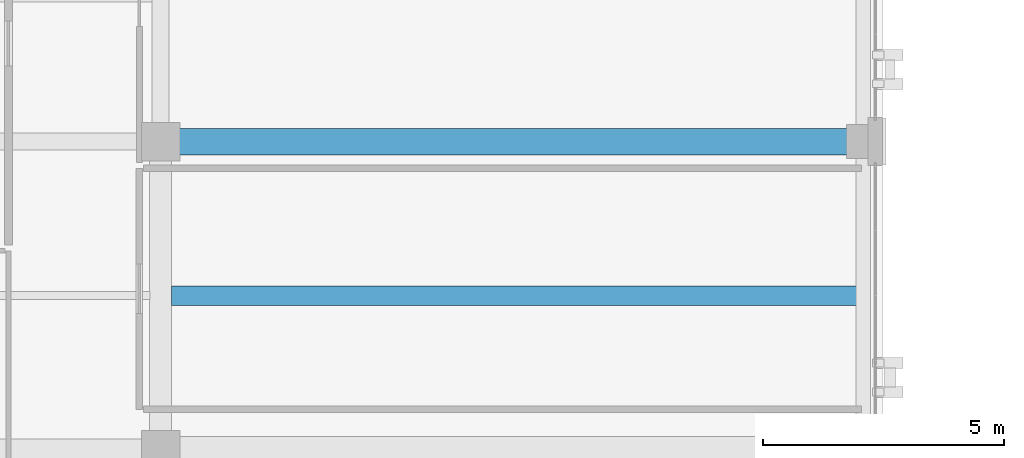
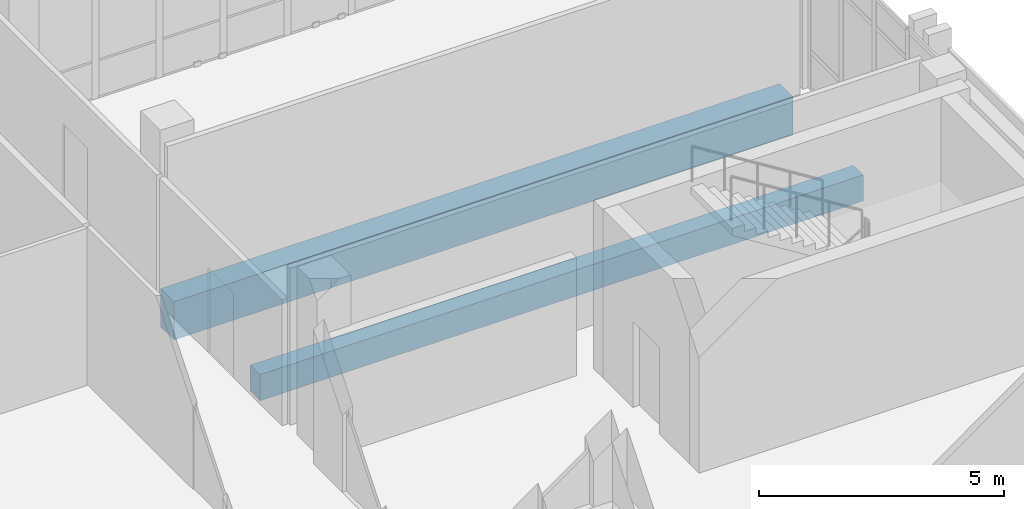
# One storey, part 107 of 193: 2 beams.
"""IFC4 building model written with IfcOpenShell, lengths in metres."""

from ifc_helpers import new_model, si_unit, direction, frame, origin, origin_2d, place, context, subcontext, project, spatial, rectangle, extrude, material, material_profile, profile_set, type_object, element, save


model = new_model("IFC4")

# Units and contexts
model_context = context("Model", 3, precision=1e-05, world=origin(), true_north=direction((0.0, 1.0)))
body_context = subcontext(model_context, "Body", "Model", "MODEL_VIEW")
ifc_project = project(units=[si_unit("LENGTHUNIT", "METRE"), si_unit("AREAUNIT", "SQUARE_METRE"), si_unit("VOLUMEUNIT", "CUBIC_METRE"), si_unit("PLANEANGLEUNIT", "RADIAN"), si_unit("MASSUNIT", "GRAM", prefix="KILO")], contexts=[model_context])

# Site, building, storey
site_placement = place(None, origin())
site = spatial("IfcSite", under=ifc_project, at=site_placement, CompositionType="ELEMENT")
building_placement = place(site_placement, origin())
building = spatial("IfcBuilding", under=site, at=building_placement, Name="Qalavern Law Courts", CompositionType="ELEMENT")
storey_placement = place(building_placement, frame((0.0, 0.0, 10.199951171875)))
storey = spatial("IfcBuildingStorey", under=building, at=storey_placement, Name="L02", CompositionType="ELEMENT", Elevation=10.199951171875)

# Beams
ifc_material_1 = material(Name="Concrete C40/50", Category="concrete")
ifc_material_profile_1 = material_profile(ifc_material_1, rectangle(XDim=0.550048828125, YDim=0.949951171875, at=origin_2d()), Name="RC 550x950")
ifc_profile_set_1 = profile_set([ifc_material_profile_1], Name="Concrete C40/50")
beam_type_1 = type_object("IfcBeamType", Name="STR-BM-RC550x950", PredefinedType="BEAM", material=ifc_profile_set_1)
beam_1_placement = place(storey_placement, frame((91.800048828125, 79.199951171875, -0.764892578125), z_axis=(1.0, 0.0, 0.0), x_axis=(0.0, 1.0, 0.0)))
element("IfcBeam", 1, at=beam_1_placement, inside=storey, type_object=beam_type_1, Name="V4 X-beam 6-2 L02", PredefinedType="BEAM", context=body_context, shape_type="SweptSolid", body=[
    extrude(rectangle(XDim=0.550048828125, YDim=0.949951171875, at=origin_2d()), origin(), (0.0, 0.0, 1.0), 14.599853515625),
])
ifc_material_2 = material(Name="Concrete C35/45", Category="concrete")
ifc_material_profile_2 = material_profile(ifc_material_2, rectangle(XDim=0.39990234375, YDim=0.64990234375, at=origin_2d()), Name="RC 400x650")
ifc_profile_set_2 = profile_set([ifc_material_profile_2], Name="Concrete C35/45")
beam_type_2 = type_object("IfcBeamType", Name="STR-JST-RC400x650", PredefinedType="JOIST", material=ifc_profile_set_2)
beam_2_placement = place(storey_placement, frame((92.02294921875, 76.0, -0.614990234375), z_axis=(1.0, 0.0, 0.0), x_axis=(0.0, 1.0, 0.0)))
element("IfcBeam", 2, at=beam_2_placement, inside=storey, type_object=beam_type_2, Name="V4 secondary joist 2.5.1 L02", PredefinedType="JOIST", context=body_context, shape_type="SweptSolid", body=[
    extrude(rectangle(XDim=0.39990234375, YDim=0.64990234375, at=origin_2d()), origin(), (0.0, 0.0, 1.0), 14.22900390625),
])

save(model, "model.ifc")
